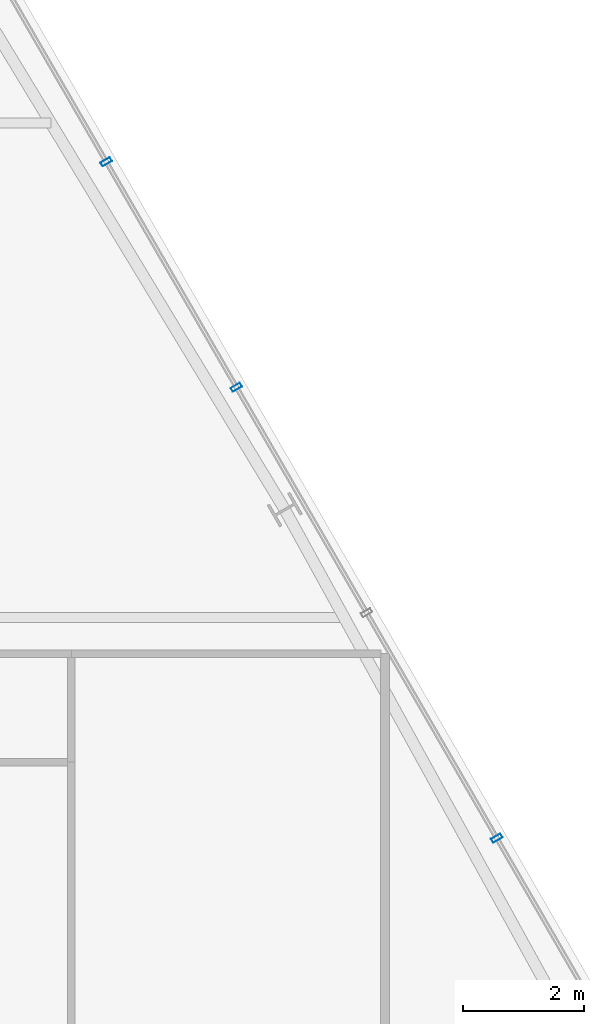
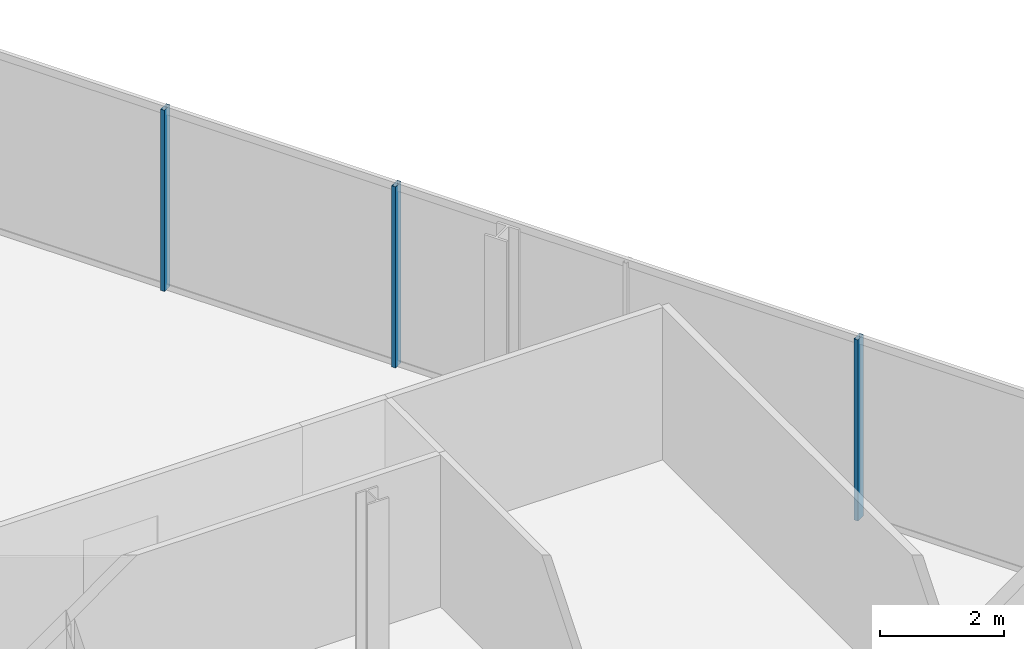
# One storey, part 19 of 30: 3 members, 1 element without a shape of its own.
"""IFC4 building model written with IfcOpenShell, lengths in metres."""

from ifc_helpers import new_model, si_unit, direction, frame, origin, origin_2d, place, context, subcontext, project, spatial, hollow_rectangle, extrude, material, layer, layer_set, material_profile, profile_set, type_object, element, aggregate, save


model = new_model("IFC4")

# Units and contexts
model_context = context("Model", 3, precision=1e-05, world=origin(), true_north=direction((0.0, 1.0)))
body_context = subcontext(model_context, "Body", "Model", "MODEL_VIEW")
ifc_project = project(units=[si_unit("LENGTHUNIT", "METRE"), si_unit("AREAUNIT", "SQUARE_METRE"), si_unit("VOLUMEUNIT", "CUBIC_METRE"), si_unit("PLANEANGLEUNIT", "RADIAN"), si_unit("MASSUNIT", "GRAM", prefix="KILO")], contexts=[model_context])

# Site, building, storey
site_placement = place(None, origin())
site = spatial("IfcSite", under=ifc_project, at=site_placement, CompositionType="ELEMENT")
building_placement = place(site_placement, origin())
building = spatial("IfcBuilding", under=site, at=building_placement, Name="Ndaravel Arena Tower", CompositionType="ELEMENT")
storey_placement = place(building_placement, frame((0.0, 0.0, 221.800048828125)))
storey = spatial("IfcBuildingStorey", under=building, at=storey_placement, Name="L53", CompositionType="ELEMENT", Elevation=221.800048828125)

# Curtain wall, members
ifc_material_1 = material(Name="Aluminium", Category="aluminium")
ifc_layer = layer(ifc_material_1, 0.179931640625)
ifc_layer_set = layer_set([ifc_layer], Name="Aluminium")
curtain_wall_type = type_object("IfcCurtainWallType", Name="CW-SYS-03", PredefinedType="NOTDEFINED", material=ifc_layer_set)
curtain_wall_placement = place(storey_placement, origin())
curtain_wall = element("IfcCurtainWall", 1, at=curtain_wall_placement, inside=storey, type_object=curtain_wall_type, Name="L53 Faceted Crystal Curtain Wall CW-L53-E03", PredefinedType="NOTDEFINED")
ifc_material_2 = material(Name="Aluminium", Category="aluminium")
ifc_material_profile = material_profile(ifc_material_2, hollow_rectangle(XDim=0.074951171875, YDim=0.179931640625, WallThickness=0.00390625, at=origin_2d()), Name="CW MULLION 75x180x4")
ifc_profile_set = profile_set([ifc_material_profile], Name="Aluminium")
member_type = type_object("IfcMemberType", Name="MEM-CW-MUL180", PredefinedType="MULLION", material=ifc_profile_set)
member_1_placement = place(storey_placement, frame((58.857421875, 23.137939453125, 0.0), z_axis=(0.0, 0.0, 1.0), x_axis=(-0.5, 0.866025403784, 0.0)))
member_1 = element("IfcMember", 2, at=member_1_placement, type_object=member_type, Name="CW-L53-E03 Mullion 03", PredefinedType="MULLION", context=body_context, shape_type="SweptSolid", body=[
    extrude(hollow_rectangle(XDim=0.074951171875, YDim=0.179931640625, WallThickness=0.00390625, at=origin_2d()), origin(), (0.0, 0.0, 1.0), 3.579833984375),
])
member_2_placement = place(storey_placement, frame((54.538818359375, 30.617919921875, 0.0), z_axis=(0.0, 0.0, 1.0), x_axis=(-0.5, 0.866025403784, 0.0)))
member_2 = element("IfcMember", 3, at=member_2_placement, type_object=member_type, Name="CW-L53-E03 Mullion 05", PredefinedType="MULLION", context=body_context, shape_type="SweptSolid", body=[
    extrude(hollow_rectangle(XDim=0.074951171875, YDim=0.179931640625, WallThickness=0.00390625, at=origin_2d()), origin(), (0.0, 0.0, 1.0), 3.579833984375),
])
member_3_placement = place(storey_placement, frame((52.379638671875, 34.35791015625, 0.0), z_axis=(0.0, 0.0, 1.0), x_axis=(-0.5, 0.866025403784, 0.0)))
member_3 = element("IfcMember", 4, at=member_3_placement, type_object=member_type, Name="CW-L53-E03 Mullion 06", PredefinedType="MULLION", context=body_context, shape_type="SweptSolid", body=[
    extrude(hollow_rectangle(XDim=0.074951171875, YDim=0.179931640625, WallThickness=0.00390625, at=origin_2d()), origin(), (0.0, 0.0, 1.0), 3.579833984375),
])
aggregate(curtain_wall, [member_1, member_2, member_3])

save(model, "model.ifc")
